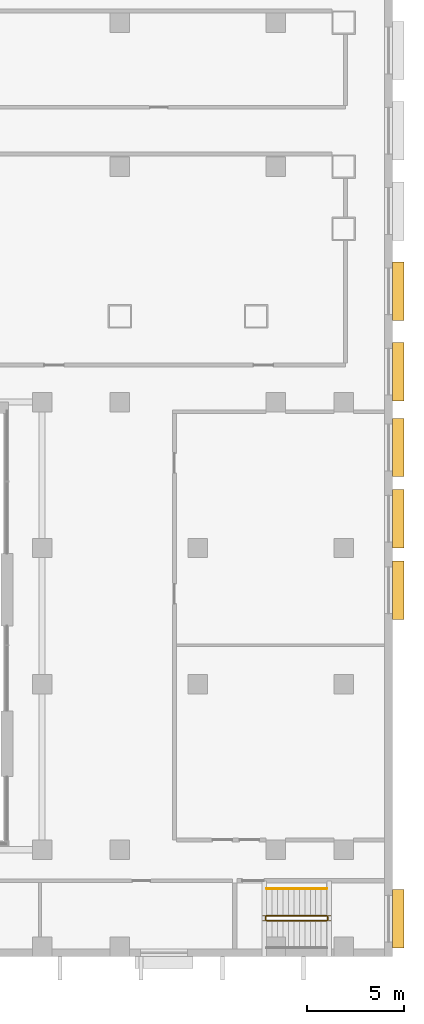
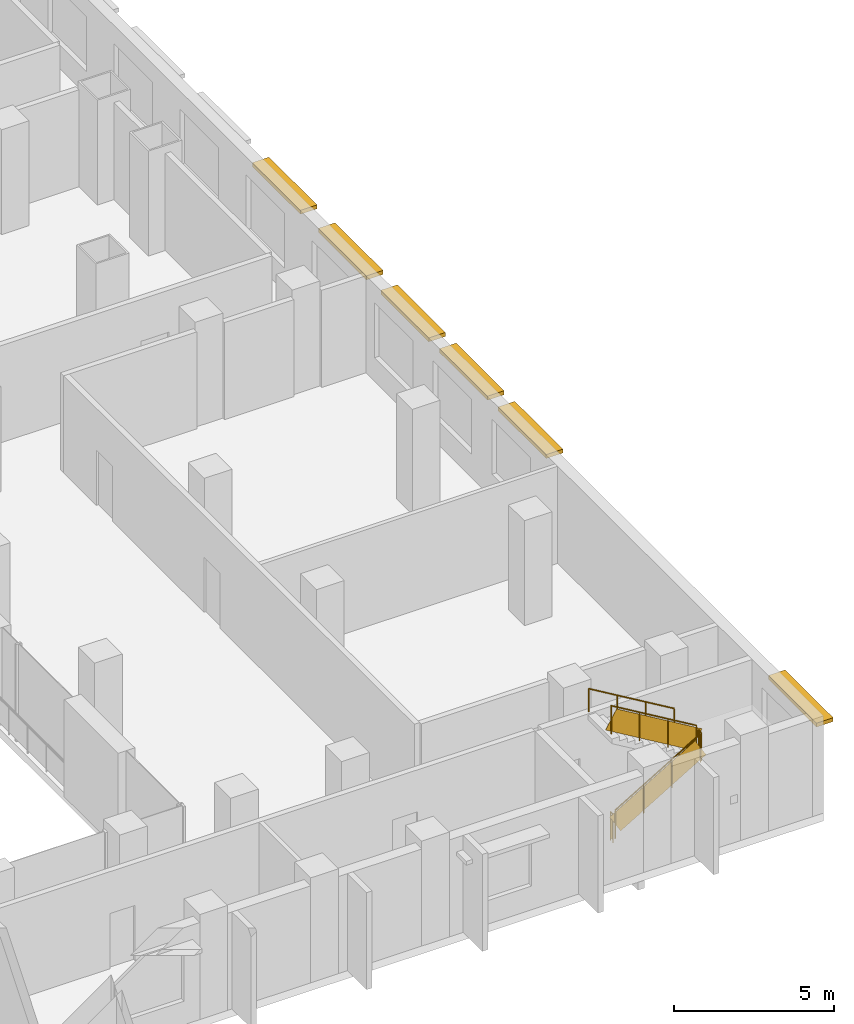
# One storey, part 22 of 25: 6 shading devices, 5 railings.
"""IFC4 building model written with IfcOpenShell, lengths in metres."""

from ifc_helpers import new_model, si_unit, direction, frame, origin, origin_2d, place, context, subcontext, project, spatial, rectangle, circle, extrude, material, layer, layer_set, type_object, element, save


model = new_model("IFC4")

# Units and contexts
model_context = context("Model", 3, precision=1e-05, world=origin(), true_north=direction((0.0, 1.0)))
body_context = subcontext(model_context, "Body", "Model", "MODEL_VIEW")
ifc_project = project(units=[si_unit("LENGTHUNIT", "METRE"), si_unit("AREAUNIT", "SQUARE_METRE"), si_unit("VOLUMEUNIT", "CUBIC_METRE"), si_unit("PLANEANGLEUNIT", "RADIAN"), si_unit("MASSUNIT", "GRAM", prefix="KILO")], contexts=[model_context])

# Site, building, storey
site_placement = place(None, origin())
site = spatial("IfcSite", under=ifc_project, at=site_placement, CompositionType="ELEMENT")
building_placement = place(site_placement, origin())
building = spatial("IfcBuilding", under=site, at=building_placement, Name="Vidyagriha Tower", CompositionType="ELEMENT")
storey_placement = place(building_placement, frame((0.0, 0.0, 10.0)))
storey = spatial("IfcBuildingStorey", under=building, at=storey_placement, Name="L02", CompositionType="ELEMENT", Elevation=10.0)

# Shading devices
ifc_material_1 = material(Name="Precast concrete C40/50 with brick facing", Category="concrete")
ifc_layer = layer(ifc_material_1, 0.14990234375)
ifc_layer_set = layer_set([ifc_layer], Name="Precast concrete C40/50 with brick facing")
shading_device_type = type_object("IfcShadingDeviceType", Name="Brick chhajja window hood", PredefinedType="AWNING", material=ifc_layer_set)
for number, where, z_axis, x_axis, name in (
    (1, (40.300048828125, -48.050048828125, 3.0), (0.0, 0.0, 1.0), (0.0, 1.0, 0.0), "Window hood L02 R01.1"),
    (2, (40.300048828125, -31.166748046875, 3.0), (0.0, 0.0, 1.0), (0.0, 1.0, 0.0), "Window hood L02 R01.7"),
    (3, (40.300048828125, -27.5, 3.0), (0.0, 0.0, 1.0), (0.0, 1.0, 0.0), "Window hood L02 R01.8"),
    (4, (40.300048828125, -23.833251953125, 3.0), (0.0, 0.0, 1.0), (0.0, 1.0, 0.0), "Window hood L02 R01.9"),
    (5, (40.300048828125, -19.9375, 3.0), (0.0, 0.0, 1.0), (0.0, 1.0, 0.0), "Window hood L02 R01.10"),
    (6, (40.300048828125, -15.8125, 3.0), (0.0, 0.0, 1.0), (0.0, 1.0, 0.0), "Window hood L02 R01.11"),
):
    element("IfcShadingDevice", number, at=place(storey_placement, frame(where, z_axis=z_axis, x_axis=x_axis)), inside=storey, type_object=shading_device_type, Name=name, PredefinedType="AWNING", context=body_context, shape_type="SweptSolid", body=[
        extrude(rectangle(XDim=3.0, YDim=0.60009765625, at=origin_2d()), origin(), (0.0, 0.0, 1.0), 0.14990234375),
    ])

# Railings
ifc_material_2 = material(Name="Powder coated ASTM A500 Grade C steel balustrade", Category="steel")
railing_type_1 = type_object("IfcRailingType", Name="Podium Stair Guard 1100", PredefinedType="GUARDRAIL", material=ifc_material_2)
railing_1_placement = place(storey_placement, frame((33.544921875, -48.14990234375, 0.166748046875)))
element("IfcRailing", 7, at=railing_1_placement, inside=storey, type_object=railing_type_1, Name="L02 PS2 stair guard 1", PredefinedType="GUARDRAIL", context=body_context, shape_type="SweptSolid", body=[
    extrude(circle(Radius=0.02392578125, at=origin_2d()), frame((0.0, 0.0, 1.076171875), z_axis=(0.859308565015, 0.0, 0.511457515432), x_axis=(0.0, 1.0, 0.0)), (0.0, 0.0, 1.0), 3.58447265625),
    extrude(circle(Radius=0.02099609375, at=origin_2d()), origin(), (0.0, 0.0, 1.0), 1.052001953125),
    extrude(circle(Radius=0.02099609375, at=origin_2d()), frame((1.026611328125, 0.0, 0.611083984375)), (0.0, 0.0, 1.0), 1.052001953125),
    extrude(circle(Radius=0.02099609375, at=origin_2d()), frame((2.053466796875, 0.0, 1.22216796875)), (0.0, 0.0, 1.0), 1.052001953125),
    extrude(circle(Radius=0.02099609375, at=origin_2d()), frame((3.080078125, 0.0, 1.833251953125)), (0.0, 0.0, 1.0), 1.052001953125),
    extrude(rectangle(XDim=0.010009765625, YDim=0.775146484375, at=origin_2d()), frame((0.0, 0.0, 0.551025390625), z_axis=(0.859308565015, 0.0, 0.511457515432), x_axis=(0.0, 1.0, 0.0)), (0.0, 0.0, 1.0), 3.58447265625),
])
railing_2_placement = place(storey_placement, frame((36.675048828125, -48.10009765625, 2.0)))
element("IfcRailing", 8, at=railing_2_placement, inside=storey, type_object=railing_type_1, Name="L02 PS2 stair guard 2", PredefinedType="GUARDRAIL", context=body_context, shape_type="SweptSolid", body=[
    extrude(circle(Radius=0.02392578125, at=origin_2d()), frame((0.0, 0.0, 1.076171875), z_axis=(0.0, 1.0, 0.0), x_axis=(-1.0, 0.0, 0.0)), (0.0, 0.0, 1.0), 0.150146484375),
    extrude(circle(Radius=0.02099609375, at=origin_2d()), origin(), (0.0, 0.0, 1.0), 1.052001953125),
    extrude(circle(Radius=0.02099609375, at=origin_2d()), frame((0.0, 0.150146484375, 0.0)), (0.0, 0.0, 1.0), 1.052001953125),
    extrude(rectangle(XDim=0.010009765625, YDim=0.902099609375, at=origin_2d()), frame((0.0, 0.0, 0.551025390625), z_axis=(0.0, 1.0, 0.0), x_axis=(-1.0, 0.0, 0.0)), (0.0, 0.0, 1.0), 0.150146484375),
])
railing_3_placement = place(storey_placement, frame((36.625, -47.89990234375, 2.166748046875)))
element("IfcRailing", 9, at=railing_3_placement, inside=storey, type_object=railing_type_1, Name="L02 PS2 stair guard 3", PredefinedType="GUARDRAIL", context=body_context, shape_type="SweptSolid", body=[
    extrude(circle(Radius=0.02392578125, at=origin_2d()), frame((0.0, 0.0, 1.076171875), z_axis=(-0.859308565015, 0.0, 0.511457515432), x_axis=(0.0, -1.0, 0.0)), (0.0, 0.0, 1.0), 3.58447265625),
    extrude(circle(Radius=0.02099609375, at=origin_2d()), origin(), (0.0, 0.0, 1.0), 1.052001953125),
    extrude(circle(Radius=0.02099609375, at=origin_2d()), frame((-1.026611328125, 0.0, 0.611083984375)), (0.0, 0.0, 1.0), 1.052001953125),
    extrude(circle(Radius=0.02099609375, at=origin_2d()), frame((-2.053466796875, 0.0, 1.22216796875)), (0.0, 0.0, 1.0), 1.052001953125),
    extrude(circle(Radius=0.02099609375, at=origin_2d()), frame((-3.080078125, 0.0, 1.833251953125)), (0.0, 0.0, 1.0), 1.052001953125),
    extrude(rectangle(XDim=0.010009765625, YDim=0.775146484375, at=origin_2d()), frame((0.0, 0.0, 0.551025390625), z_axis=(-0.859308565015, 0.0, 0.511457515432), x_axis=(0.0, -1.0, 0.0)), (0.0, 0.0, 1.0), 3.58447265625),
])
railing_4_placement = place(storey_placement, frame((33.4951171875, -48.10009765625, 0.0)))
element("IfcRailing", 10, at=railing_4_placement, inside=storey, type_object=railing_type_1, Name="L02 PS2 stair guard 4", PredefinedType="GUARDRAIL", context=body_context, shape_type="SweptSolid", body=[
    extrude(circle(Radius=0.02392578125, at=origin_2d()), frame((0.0, 0.0, 1.076171875), z_axis=(0.0, 1.0, 0.0), x_axis=(-1.0, 0.0, 0.0)), (0.0, 0.0, 1.0), 0.150146484375),
    extrude(circle(Radius=0.02099609375, at=origin_2d()), origin(), (0.0, 0.0, 1.0), 1.052001953125),
    extrude(circle(Radius=0.02099609375, at=origin_2d()), frame((0.0, 0.150146484375, 0.0)), (0.0, 0.0, 1.0), 1.052001953125),
    extrude(rectangle(XDim=0.010009765625, YDim=0.902099609375, at=origin_2d()), frame((0.0, 0.0, 0.551025390625), z_axis=(0.0, 1.0, 0.0), x_axis=(-1.0, 0.0, 0.0)), (0.0, 0.0, 1.0), 0.150146484375),
])
ifc_material_3 = material(Name="Powder coated ASTM A500 Grade C steel handrail", Category="steel")
railing_type_2 = type_object("IfcRailingType", Name="Podium Stair Handrail 900", PredefinedType="HANDRAIL", material=ifc_material_3)
railing_5_placement = place(storey_placement, frame((36.625, -46.5, 2.166748046875)))
element("IfcRailing", 11, at=railing_5_placement, inside=storey, type_object=railing_type_2, Name="L02 PS2 stair handrail 2", PredefinedType="HANDRAIL", context=body_context, shape_type="SweptSolid", body=[
    extrude(circle(Radius=0.02392578125, at=origin_2d()), frame((0.0, 0.0, 0.8759765625), z_axis=(-0.859308565015, 0.0, 0.511457515432), x_axis=(0.0, -1.0, 0.0)), (0.0, 0.0, 1.0), 3.58447265625),
    extrude(circle(Radius=0.02099609375, at=origin_2d()), origin(), (0.0, 0.0, 1.0), 0.851806640625),
    extrude(circle(Radius=0.02099609375, at=origin_2d()), frame((-1.026611328125, 0.0, 0.611083984375)), (0.0, 0.0, 1.0), 0.851806640625),
    extrude(circle(Radius=0.02099609375, at=origin_2d()), frame((-2.053466796875, 0.0, 1.22216796875)), (0.0, 0.0, 1.0), 0.851806640625),
    extrude(circle(Radius=0.02099609375, at=origin_2d()), frame((-3.080078125, 0.0, 1.833251953125)), (0.0, 0.0, 1.0), 0.851806640625),
])

save(model, "model.ifc")
